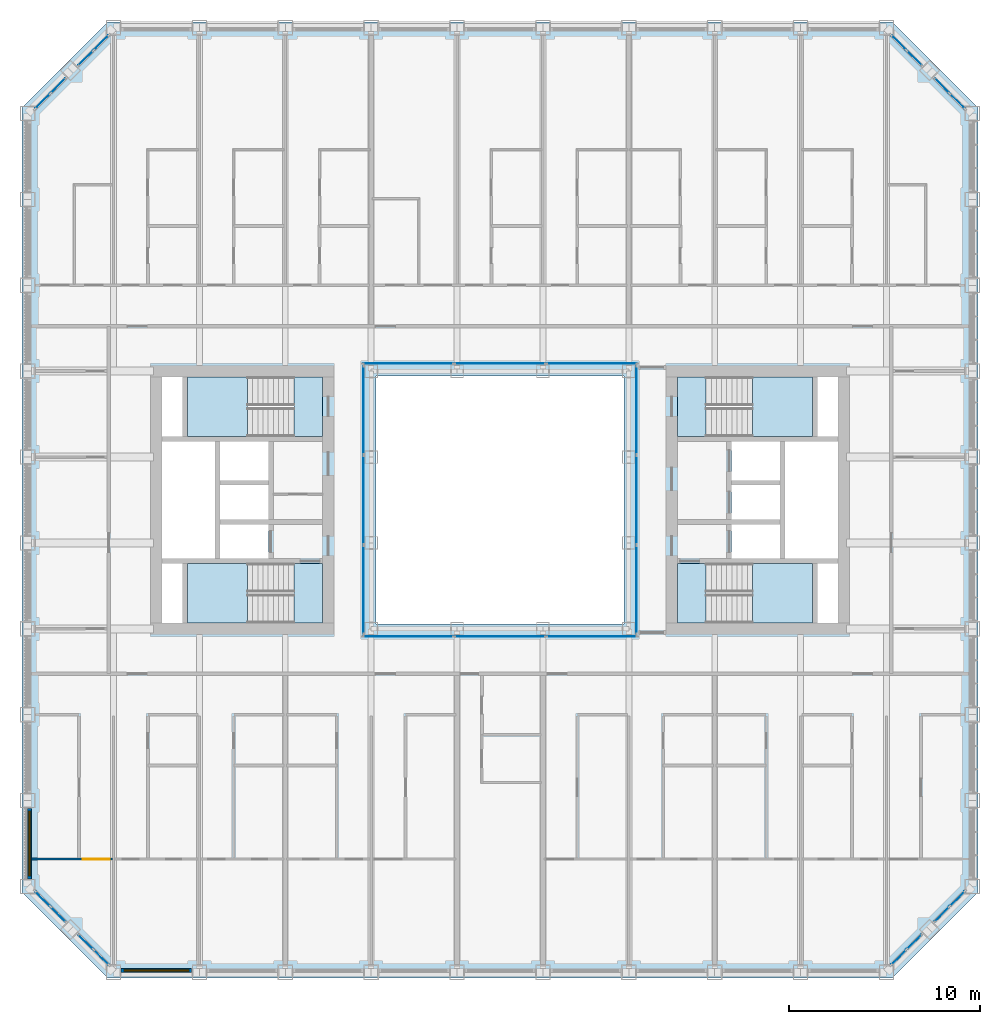
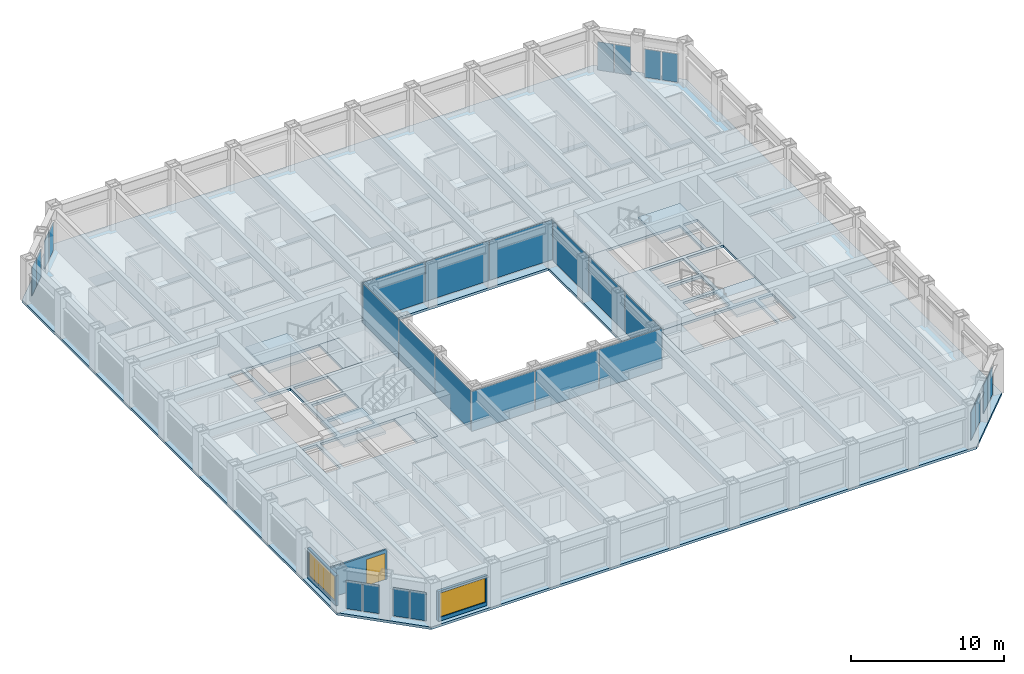
# One storey, part 8 of 21: 28 plates, 9 slabs, 3 walls, 2 windows, 1 door, 3 openings, 16 elements without a shape of their own.
"""IFC4 building model written with IfcOpenShell, lengths in metres."""

import ifcopenshell
import ifcopenshell.guid

model = None  # the IFC model being written
_history = None  # IfcOwnerHistory: only IFC2X3 demands one
_inside = {}  # id of a spatial element -> (the spatial element, [elements in it])
_under = {}  # id of a project, library or spatial element -> (it, [spatial elements below it])
_declared = {}  # id of a project -> (the project, [libraries it declares])
_typed = {}  # id of a type object -> (the type object, [elements of that type])
_made_of = {}  # id of a material, layer set ... -> (it, [elements and type objects made of it])


def new_model(schema):
    """Start an empty IFC model of exactly this schema.

    Asked for "IFC4X3", IfcOpenShell would pick the latest addendum, in which some entities
    have other attributes; the version numbers below select the first issue.
    IFC2X3 requires an IfcOwnerHistory on every rooted entity: one is made here for all.
    """
    global model, _history
    if schema == "IFC4X3":
        model = ifcopenshell.file(schema_version=(4, 3, 0, 0))
    else:
        model = ifcopenshell.file(schema=schema)
    _inside.clear()
    _under.clear()
    _declared.clear()
    _typed.clear()
    _made_of.clear()
    _history = None
    if model.schema == "IFC2X3":
        org = make("IfcOrganization", Name="unknown")
        user = make(
            "IfcPersonAndOrganization",
            ThePerson=make("IfcPerson", FamilyName="unknown"),
            TheOrganization=org,
        )
        app = make(
            "IfcApplication",
            ApplicationDeveloper=org,
            Version="unknown",
            ApplicationFullName="unknown",
            ApplicationIdentifier="unknown",
        )
        _history = make(
            "IfcOwnerHistory",
            OwningUser=user,
            OwningApplication=app,
            ChangeAction="ADDED",
            CreationDate=0,
        )
    return model


def make(cls, **values):
    """One entity of the class cls with the attributes given. An attribute that is None is left unset."""
    return model.create_entity(
        cls, **{name: value for name, value in values.items() if value is not None}
    )


def rooted(cls, **values):
    """An entity with a GlobalId (a new one), such as an element, a storey or a relation."""
    return make(cls, GlobalId=ifcopenshell.guid.new(), OwnerHistory=_history, **values)


def si_unit(unit_type, name, prefix=None):
    """IfcSIUnit, for example si_unit("LENGTHUNIT", "METRE", prefix="MILLI")."""
    return make("IfcSIUnit", UnitType=unit_type, Prefix=prefix, Name=name)


def assignment(units):
    """IfcUnitAssignment: the units of a project."""
    return None if units is None else make("IfcUnitAssignment", Units=units)


def point(xyz):
    """IfcCartesianPoint."""
    return None if xyz is None else make("IfcCartesianPoint", Coordinates=xyz)


def direction(xyz):
    """IfcDirection."""
    return None if xyz is None else make("IfcDirection", DirectionRatios=xyz)


def frame(location, z_axis=None, x_axis=None):
    """IfcAxis2Placement3D, a coordinate frame: its origin and axes. An axis left out is left unset."""
    return make(
        "IfcAxis2Placement3D",
        Location=point(location),
        Axis=direction(z_axis),
        RefDirection=direction(x_axis),
    )


def frame_2d(location, x_axis=None):
    """IfcAxis2Placement2D, a coordinate frame in the plane: its origin and x axis."""
    return make(
        "IfcAxis2Placement2D", Location=point(location), RefDirection=direction(x_axis)
    )


def origin():
    """The frame at (0, 0, 0) with its axes left unset."""
    return frame((0.0, 0.0, 0.0))


def origin_2d():
    """The frame at (0, 0) in the plane with its x axis left unset."""
    return frame_2d((0.0, 0.0))


def place(relative_to, where):
    """IfcLocalPlacement: puts the frame where relative to a parent placement (None: the world)."""
    return make(
        "IfcLocalPlacement", PlacementRelTo=relative_to, RelativePlacement=where
    )


def context(
    kind, dimensions, precision=None, world=None, true_north=None, identifier=None
):
    """IfcGeometricRepresentationContext, for example the 3D "Model" context."""
    return make(
        "IfcGeometricRepresentationContext",
        ContextIdentifier=identifier,
        ContextType=kind,
        CoordinateSpaceDimension=dimensions,
        Precision=precision,
        WorldCoordinateSystem=world,
        TrueNorth=true_north,
    )


def subcontext(parent, identifier, kind, view, scale=None):
    """IfcGeometricRepresentationSubContext, for example "Body" below "Model"."""
    return make(
        "IfcGeometricRepresentationSubContext",
        ContextIdentifier=identifier,
        ContextType=kind,
        ParentContext=parent,
        TargetScale=scale,
        TargetView=view,
    )


def project(units=None, contexts=None):
    """IfcProject with its units and contexts."""
    return rooted(
        "IfcProject",
        Name="project",
        RepresentationContexts=contexts,
        UnitsInContext=assignment(units),
    )


def spatial(cls, under=None, at=None, **own):
    """A site, building, storey or space (cls), placed at a placement, below another one or the project."""
    s = rooted(cls, ObjectPlacement=at, **own)
    if under is not None:
        _under.setdefault(under.id(), (under, []))[1].append(s)
    return s


def polyline(points):
    """IfcPolyline through the points."""
    return make("IfcPolyline", Points=[point(p) for p in points])


def profile(cls, at=None, kind="AREA", **sizes):
    """A parametric profile (cls). Its sizes go by their IFC names, for example OverallWidth=200.0."""
    return make(cls, ProfileType=kind, Position=at, **sizes)


def rectangle(**sizes):
    """IfcRectangleProfileDef."""
    return profile("IfcRectangleProfileDef", **sizes)


def outline(outer, holes=None, kind="AREA"):
    """IfcArbitraryClosedProfileDef: a profile drawn as a closed curve; with holes, ...WithVoids."""
    if holes is None:
        return make("IfcArbitraryClosedProfileDef", ProfileType=kind, OuterCurve=outer)
    return make(
        "IfcArbitraryProfileDefWithVoids",
        ProfileType=kind,
        OuterCurve=outer,
        InnerCurves=holes,
    )


def extrude(swept, where, along, depth):
    """IfcExtrudedAreaSolid: the profile swept, set in the frame where, extruded along a direction by depth."""
    return make(
        "IfcExtrudedAreaSolid",
        SweptArea=swept,
        Position=where,
        ExtrudedDirection=direction(along),
        Depth=depth,
    )


def shape(context_of_items, identifier, shape_type, items):
    """IfcShapeRepresentation: the items that make up one representation, for example the "Body"."""
    return make(
        "IfcShapeRepresentation",
        ContextOfItems=context_of_items,
        RepresentationIdentifier=identifier,
        RepresentationType=shape_type,
        Items=items,
    )


def material(Name=None, Category=None):
    """IfcMaterial."""
    return make("IfcMaterial", Name=Name, Category=Category)


def layer(
    of_material, thickness, ventilated=None, Name=None, Category=None, Priority=None
):
    """IfcMaterialLayer: one layer of a wall or slab, of a material (None: an air gap)."""
    return make(
        "IfcMaterialLayer",
        Material=of_material,
        LayerThickness=thickness,
        IsVentilated=ventilated,
        Name=Name,
        Category=Category,
        Priority=Priority,
    )


def layer_set(layers, Name=None):
    """IfcMaterialLayerSet."""
    return make("IfcMaterialLayerSet", MaterialLayers=layers, LayerSetName=Name)


def made_of(thing, what):
    """Note that an element or type object is made of a material, layer set ...; save() writes the relation."""
    if what is not None:
        _made_of.setdefault(what.id(), (what, []))[1].append(thing)
    return thing


def type_object(cls, material=None, **own):
    """A type object (cls), such as IfcWallType, which elements share."""
    return made_of(rooted(cls, **own), material)


def element(
    cls,
    number,
    at=None,
    inside=None,
    cuts=None,
    type_object=None,
    material=None,
    context=None,
    identifier="Body",
    shape_type=None,
    held_by="IfcProductDefinitionShape",
    body=None,
    shapes=None,
    **own,
):
    """One element of the class cls, such as IfcWall. Its Tag is "e" and its number.

    at: its placement. inside: the storey or other place that contains it. cuts: it is an
    opening in that element (IfcRelVoidsElement). A single representation is given by context,
    identifier, shape_type and body (its items); several are given by shapes. held_by: the class
    of the entity that holds the representations. save() writes the other relations.
    """
    e = rooted(cls, Tag="e%d" % number, ObjectPlacement=at, **own)
    if body is not None:
        shapes = [shape(context, identifier, shape_type, body)]
    if shapes is not None:
        e.Representation = make(held_by, Representations=shapes)
    if inside is not None:
        _inside.setdefault(inside.id(), (inside, []))[1].append(e)
    if cuts is not None:
        rooted(
            "IfcRelVoidsElement", RelatingBuildingElement=cuts, RelatedOpeningElement=e
        )
    if type_object is not None:
        _typed.setdefault(type_object.id(), (type_object, []))[1].append(e)
    return made_of(e, material)


def fill(opening, filler):
    """IfcRelFillsElement: the door or window that sits in an opening."""
    return rooted(
        "IfcRelFillsElement",
        RelatingOpeningElement=opening,
        RelatedBuildingElement=filler,
    )


def aggregate(whole, parts):
    """IfcRelAggregates: a whole, such as a stair, and the parts it consists of."""
    return rooted("IfcRelAggregates", RelatingObject=whole, RelatedObjects=parts)


def save(model, path):
    """Write the relations noted so far, then the file.

    IfcRelAggregates (storeys below a building ...), IfcRelContainedInSpatialStructure (elements
    in a storey), IfcRelDefinesByType, IfcRelAssociatesMaterial and IfcRelDeclares: one each for
    every whole, place, type object, material and project.
    """
    for whole, parts in _under.values():
        aggregate(whole, parts)
    for where, things in _inside.values():
        rooted(
            "IfcRelContainedInSpatialStructure",
            RelatedElements=things,
            RelatingStructure=where,
        )
    for kind, things in _typed.values():
        rooted("IfcRelDefinesByType", RelatedObjects=things, RelatingType=kind)
    for what, things in _made_of.values():
        rooted("IfcRelAssociatesMaterial", RelatedObjects=things, RelatingMaterial=what)
    for by, libraries in _declared.values():
        rooted("IfcRelDeclares", RelatingContext=by, RelatedDefinitions=libraries)
    model.write(path)


model = new_model("IFC4")

# Units and contexts
model_context = context("Model", 3, precision=1e-05, world=origin(), true_north=direction((0.0, 1.0)))
body_context = subcontext(model_context, "Body", "Model", "MODEL_VIEW")
ifc_project = project(units=[si_unit("LENGTHUNIT", "METRE"), si_unit("AREAUNIT", "SQUARE_METRE"), si_unit("VOLUMEUNIT", "CUBIC_METRE"), si_unit("PLANEANGLEUNIT", "RADIAN"), si_unit("MASSUNIT", "GRAM", prefix="KILO")], contexts=[model_context])

# Site, building, storey
site_placement = place(None, origin())
site = spatial("IfcSite", under=ifc_project, at=site_placement, CompositionType="ELEMENT")
building_placement = place(site_placement, origin())
building = spatial("IfcBuilding", under=site, at=building_placement, Name="Msasa Ring Tower", CompositionType="ELEMENT")
storey_placement = place(building_placement, frame((0.0, 0.0, 75.5)))
storey = spatial("IfcBuildingStorey", under=building, at=storey_placement, Name="L19", CompositionType="ELEMENT", Elevation=75.5)

# Curtain wall, plates
ifc_material_1 = material(Name="Aluminium curtain wall with clear glass", Category="aluminium")
curtain_wall_type_1 = type_object("IfcCurtainWallType", Name="CW-C CHAMFER CORNER CURTAIN WALL", PredefinedType="NOTDEFINED", material=ifc_material_1)
curtain_wall_1_placement = place(storey_placement, origin())
curtain_wall_1 = element("IfcCurtainWall", 1, at=curtain_wall_1_placement, inside=storey, type_object=curtain_wall_type_1, Name="Chamfer corner curtain wall SE L19", PredefinedType="NOTDEFINED")
ifc_material_2 = material(Name="Clear laminated insulating glass unit", Category="glass")
ifc_layer_1 = layer(ifc_material_2, 0.031982421875)
ifc_layer_set_1 = layer_set([ifc_layer_1], Name="CW-C GLASS PANEL 32")
plate_type_1 = type_object("IfcPlateType", Name="CW-C GLASS PANEL 32", PredefinedType="CURTAIN_PANEL", material=ifc_layer_set_1)
plate_1_placement = place(storey_placement, frame((20.896484375, -23.962158203125, 0.06494140625), z_axis=(0.0, 0.0, 1.0), x_axis=(0.707106781187, 0.707106781187, 0.0)))
plate_1 = element("IfcPlate", 2, at=plate_1_placement, type_object=plate_type_1, Name="CW-C panel 1.1", PredefinedType="CURTAIN_PANEL", context=body_context, shape_type="SweptSolid", body=[
    extrude(rectangle(XDim=1.08837890625, YDim=0.031982421875, at=origin_2d()), origin(), (0.0, 0.0, 1.0), 2.2490234375),
])
plate_2_placement = place(storey_placement, frame((21.712158203125, -23.146484375, 0.06494140625), z_axis=(0.0, 0.0, 1.0), x_axis=(0.707106781187, 0.707106781187, 0.0)))
plate_2 = element("IfcPlate", 3, at=plate_2_placement, type_object=plate_type_1, Name="CW-C panel 2.1", PredefinedType="CURTAIN_PANEL", context=body_context, shape_type="SweptSolid", body=[
    extrude(rectangle(XDim=1.08837890625, YDim=0.031982421875, at=origin_2d()), origin(), (0.0, 0.0, 1.0), 2.2490234375),
])
aggregate(curtain_wall_1, [plate_1, plate_2])

curtain_wall_2_placement = place(storey_placement, origin())
curtain_wall_2 = element("IfcCurtainWall", 4, at=curtain_wall_2_placement, inside=storey, type_object=curtain_wall_type_1, Name="Chamfer corner curtain wall SE L19", PredefinedType="NOTDEFINED")
plate_3_placement = place(storey_placement, frame((23.146484375, -21.712158203125, 0.06494140625), z_axis=(0.0, 0.0, 1.0), x_axis=(0.707106781187, 0.707106781187, 0.0)))
plate_3 = element("IfcPlate", 5, at=plate_3_placement, type_object=plate_type_1, Name="CW-C panel 1.1", PredefinedType="CURTAIN_PANEL", context=body_context, shape_type="SweptSolid", body=[
    extrude(rectangle(XDim=1.08837890625, YDim=0.031982421875, at=origin_2d()), origin(), (0.0, 0.0, 1.0), 2.2490234375),
])
plate_4_placement = place(storey_placement, frame((23.962158203125, -20.896484375, 0.06494140625), z_axis=(0.0, 0.0, 1.0), x_axis=(0.707106781187, 0.707106781187, 0.0)))
plate_4 = element("IfcPlate", 6, at=plate_4_placement, type_object=plate_type_1, Name="CW-C panel 2.1", PredefinedType="CURTAIN_PANEL", context=body_context, shape_type="SweptSolid", body=[
    extrude(rectangle(XDim=1.08837890625, YDim=0.031982421875, at=origin_2d()), origin(), (0.0, 0.0, 1.0), 2.2490234375),
])
aggregate(curtain_wall_2, [plate_3, plate_4])

curtain_wall_3_placement = place(storey_placement, origin())
curtain_wall_3 = element("IfcCurtainWall", 7, at=curtain_wall_3_placement, inside=storey, type_object=curtain_wall_type_1, Name="Chamfer corner curtain wall NE L19", PredefinedType="NOTDEFINED")
plate_5_placement = place(storey_placement, frame((21.712158203125, 23.146484375, 0.06494140625), z_axis=(0.0, 0.0, 1.0), x_axis=(-0.707106781187, 0.707106781187, 0.0)))
plate_5 = element("IfcPlate", 8, at=plate_5_placement, type_object=plate_type_1, Name="CW-C panel 1.1", PredefinedType="CURTAIN_PANEL", context=body_context, shape_type="SweptSolid", body=[
    extrude(rectangle(XDim=1.08837890625, YDim=0.031982421875, at=origin_2d()), origin(), (0.0, 0.0, 1.0), 2.2490234375),
])
plate_6_placement = place(storey_placement, frame((20.896484375, 23.962158203125, 0.06494140625), z_axis=(0.0, 0.0, 1.0), x_axis=(-0.707106781187, 0.707106781187, 0.0)))
plate_6 = element("IfcPlate", 9, at=plate_6_placement, type_object=plate_type_1, Name="CW-C panel 2.1", PredefinedType="CURTAIN_PANEL", context=body_context, shape_type="SweptSolid", body=[
    extrude(rectangle(XDim=1.08837890625, YDim=0.031982421875, at=origin_2d()), origin(), (0.0, 0.0, 1.0), 2.2490234375),
])
aggregate(curtain_wall_3, [plate_5, plate_6])

curtain_wall_4_placement = place(storey_placement, origin())
curtain_wall_4 = element("IfcCurtainWall", 10, at=curtain_wall_4_placement, inside=storey, type_object=curtain_wall_type_1, Name="Chamfer corner curtain wall NE L19", PredefinedType="NOTDEFINED")
plate_7_placement = place(storey_placement, frame((23.962158203125, 20.896484375, 0.06494140625), z_axis=(0.0, 0.0, 1.0), x_axis=(-0.707106781187, 0.707106781187, 0.0)))
plate_7 = element("IfcPlate", 11, at=plate_7_placement, type_object=plate_type_1, Name="CW-C panel 1.1", PredefinedType="CURTAIN_PANEL", context=body_context, shape_type="SweptSolid", body=[
    extrude(rectangle(XDim=1.08837890625, YDim=0.031982421875, at=origin_2d()), origin(), (0.0, 0.0, 1.0), 2.2490234375),
])
plate_8_placement = place(storey_placement, frame((23.146484375, 21.712158203125, 0.06494140625), z_axis=(0.0, 0.0, 1.0), x_axis=(-0.707106781187, 0.707106781187, 0.0)))
plate_8 = element("IfcPlate", 12, at=plate_8_placement, type_object=plate_type_1, Name="CW-C panel 2.1", PredefinedType="CURTAIN_PANEL", context=body_context, shape_type="SweptSolid", body=[
    extrude(rectangle(XDim=1.08837890625, YDim=0.031982421875, at=origin_2d()), origin(), (0.0, 0.0, 1.0), 2.2490234375),
])
aggregate(curtain_wall_4, [plate_7, plate_8])

curtain_wall_5_placement = place(storey_placement, origin())
curtain_wall_5 = element("IfcCurtainWall", 13, at=curtain_wall_5_placement, inside=storey, type_object=curtain_wall_type_1, Name="Chamfer corner curtain wall NW L19", PredefinedType="NOTDEFINED")
plate_9_placement = place(storey_placement, frame((-23.146484375, 21.712158203125, 0.06494140625), z_axis=(0.0, 0.0, 1.0), x_axis=(-0.707106781187, -0.707106781187, 0.0)))
plate_9 = element("IfcPlate", 14, at=plate_9_placement, type_object=plate_type_1, Name="CW-C panel 1.1", PredefinedType="CURTAIN_PANEL", context=body_context, shape_type="SweptSolid", body=[
    extrude(rectangle(XDim=1.08837890625, YDim=0.031982421875, at=origin_2d()), origin(), (0.0, 0.0, 1.0), 2.2490234375),
])
plate_10_placement = place(storey_placement, frame((-23.962158203125, 20.896484375, 0.06494140625), z_axis=(0.0, 0.0, 1.0), x_axis=(-0.707106781187, -0.707106781187, 0.0)))
plate_10 = element("IfcPlate", 15, at=plate_10_placement, type_object=plate_type_1, Name="CW-C panel 2.1", PredefinedType="CURTAIN_PANEL", context=body_context, shape_type="SweptSolid", body=[
    extrude(rectangle(XDim=1.08837890625, YDim=0.031982421875, at=origin_2d()), origin(), (0.0, 0.0, 1.0), 2.2490234375),
])
aggregate(curtain_wall_5, [plate_9, plate_10])

curtain_wall_6_placement = place(storey_placement, origin())
curtain_wall_6 = element("IfcCurtainWall", 16, at=curtain_wall_6_placement, inside=storey, type_object=curtain_wall_type_1, Name="Chamfer corner curtain wall NW L19", PredefinedType="NOTDEFINED")
plate_11_placement = place(storey_placement, frame((-20.896484375, 23.962158203125, 0.06494140625), z_axis=(0.0, 0.0, 1.0), x_axis=(-0.707106781187, -0.707106781187, 0.0)))
plate_11 = element("IfcPlate", 17, at=plate_11_placement, type_object=plate_type_1, Name="CW-C panel 1.1", PredefinedType="CURTAIN_PANEL", context=body_context, shape_type="SweptSolid", body=[
    extrude(rectangle(XDim=1.08837890625, YDim=0.031982421875, at=origin_2d()), origin(), (0.0, 0.0, 1.0), 2.2490234375),
])
plate_12_placement = place(storey_placement, frame((-21.712158203125, 23.146484375, 0.06494140625), z_axis=(0.0, 0.0, 1.0), x_axis=(-0.707106781187, -0.707106781187, 0.0)))
plate_12 = element("IfcPlate", 18, at=plate_12_placement, type_object=plate_type_1, Name="CW-C panel 2.1", PredefinedType="CURTAIN_PANEL", context=body_context, shape_type="SweptSolid", body=[
    extrude(rectangle(XDim=1.08837890625, YDim=0.031982421875, at=origin_2d()), origin(), (0.0, 0.0, 1.0), 2.2490234375),
])
aggregate(curtain_wall_6, [plate_11, plate_12])

curtain_wall_7_placement = place(storey_placement, origin())
curtain_wall_7 = element("IfcCurtainWall", 19, at=curtain_wall_7_placement, inside=storey, type_object=curtain_wall_type_1, Name="Chamfer corner curtain wall SW L19", PredefinedType="NOTDEFINED")
plate_13_placement = place(storey_placement, frame((-23.962158203125, -20.896484375, 0.06494140625), z_axis=(0.0, 0.0, 1.0), x_axis=(0.707106781187, -0.707106781187, 0.0)))
plate_13 = element("IfcPlate", 20, at=plate_13_placement, type_object=plate_type_1, Name="CW-C panel 1.1", PredefinedType="CURTAIN_PANEL", context=body_context, shape_type="SweptSolid", body=[
    extrude(rectangle(XDim=1.08837890625, YDim=0.031982421875, at=origin_2d()), origin(), (0.0, 0.0, 1.0), 2.2490234375),
])
plate_14_placement = place(storey_placement, frame((-23.146484375, -21.712158203125, 0.06494140625), z_axis=(0.0, 0.0, 1.0), x_axis=(0.707106781187, -0.707106781187, 0.0)))
plate_14 = element("IfcPlate", 21, at=plate_14_placement, type_object=plate_type_1, Name="CW-C panel 2.1", PredefinedType="CURTAIN_PANEL", context=body_context, shape_type="SweptSolid", body=[
    extrude(rectangle(XDim=1.08837890625, YDim=0.031982421875, at=origin_2d()), origin(), (0.0, 0.0, 1.0), 2.2490234375),
])
aggregate(curtain_wall_7, [plate_13, plate_14])

curtain_wall_8_placement = place(storey_placement, origin())
curtain_wall_8 = element("IfcCurtainWall", 22, at=curtain_wall_8_placement, inside=storey, type_object=curtain_wall_type_1, Name="Chamfer corner curtain wall SW L19", PredefinedType="NOTDEFINED")
plate_15_placement = place(storey_placement, frame((-21.712158203125, -23.146484375, 0.06494140625), z_axis=(0.0, 0.0, 1.0), x_axis=(0.707106781187, -0.707106781187, 0.0)))
plate_15 = element("IfcPlate", 23, at=plate_15_placement, type_object=plate_type_1, Name="CW-C panel 1.1", PredefinedType="CURTAIN_PANEL", context=body_context, shape_type="SweptSolid", body=[
    extrude(rectangle(XDim=1.08837890625, YDim=0.031982421875, at=origin_2d()), origin(), (0.0, 0.0, 1.0), 2.2490234375),
])
plate_16_placement = place(storey_placement, frame((-20.896484375, -23.962158203125, 0.06494140625), z_axis=(0.0, 0.0, 1.0), x_axis=(0.707106781187, -0.707106781187, 0.0)))
plate_16 = element("IfcPlate", 24, at=plate_16_placement, type_object=plate_type_1, Name="CW-C panel 2.1", PredefinedType="CURTAIN_PANEL", context=body_context, shape_type="SweptSolid", body=[
    extrude(rectangle(XDim=1.08837890625, YDim=0.031982421875, at=origin_2d()), origin(), (0.0, 0.0, 1.0), 2.2490234375),
])
aggregate(curtain_wall_8, [plate_15, plate_16])

ifc_material_3 = material(Name="Aluminium curtain wall with clear glass", Category="aluminium")
curtain_wall_type_2 = type_object("IfcCurtainWallType", Name="CW-W LIGHT WELL CURTAIN WALL", PredefinedType="NOTDEFINED", material=ifc_material_3)
curtain_wall_9_placement = place(storey_placement, origin())
curtain_wall_9 = element("IfcCurtainWall", 25, at=curtain_wall_9_placement, inside=storey, type_object=curtain_wall_type_2, Name="Light well curtain wall N L19", PredefinedType="NOTDEFINED")
ifc_material_4 = material(Name="Clear laminated insulating glass unit", Category="glass")
ifc_layer_2 = layer(ifc_material_4, 0.028076171875)
ifc_layer_set_2 = layer_set([ifc_layer_2], Name="CW-W GLASS PANEL 28")
plate_type_2 = type_object("IfcPlateType", Name="CW-W GLASS PANEL 28", PredefinedType="CURTAIN_PANEL", material=ifc_layer_set_2)
plate_17_placement = place(storey_placement, frame((-4.804931640625, 7.14990234375, 0.06005859375), z_axis=(0.0, 0.0, 1.0), x_axis=(1.0, 0.0, 0.0)))
plate_17 = element("IfcPlate", 26, at=plate_17_placement, type_object=plate_type_2, Name="CW-W panel 1.1", PredefinedType="CURTAIN_PANEL", context=body_context, shape_type="SweptSolid", body=[
    extrude(rectangle(XDim=4.72998046875, YDim=0.028076171875, at=origin_2d()), origin(), (0.0, 0.0, 1.0), 3.179931640625),
])
plate_18_placement = place(storey_placement, frame((0.0, 7.14990234375, 0.06005859375), z_axis=(0.0, 0.0, 1.0), x_axis=(1.0, 0.0, 0.0)))
plate_18 = element("IfcPlate", 27, at=plate_18_placement, type_object=plate_type_2, Name="CW-W panel 2.1", PredefinedType="CURTAIN_PANEL", context=body_context, shape_type="SweptSolid", body=[
    extrude(rectangle(XDim=4.760009765625, YDim=0.028076171875, at=origin_2d()), origin(), (0.0, 0.0, 1.0), 3.179931640625),
])
plate_19_placement = place(storey_placement, frame((4.804931640625, 7.14990234375, 0.06005859375), z_axis=(0.0, 0.0, 1.0), x_axis=(1.0, 0.0, 0.0)))
plate_19 = element("IfcPlate", 28, at=plate_19_placement, type_object=plate_type_2, Name="CW-W panel 3.1", PredefinedType="CURTAIN_PANEL", context=body_context, shape_type="SweptSolid", body=[
    extrude(rectangle(XDim=4.72998046875, YDim=0.028076171875, at=origin_2d()), origin(), (0.0, 0.0, 1.0), 3.179931640625),
])
aggregate(curtain_wall_9, [plate_17, plate_18, plate_19])

curtain_wall_10_placement = place(storey_placement, origin())
curtain_wall_10 = element("IfcCurtainWall", 29, at=curtain_wall_10_placement, inside=storey, type_object=curtain_wall_type_2, Name="Light well curtain wall S L19", PredefinedType="NOTDEFINED")
plate_20_placement = place(storey_placement, frame((-4.804931640625, -7.14990234375, 0.06005859375), z_axis=(0.0, 0.0, 1.0), x_axis=(1.0, 0.0, 0.0)))
plate_20 = element("IfcPlate", 30, at=plate_20_placement, type_object=plate_type_2, Name="CW-W panel 1.1", PredefinedType="CURTAIN_PANEL", context=body_context, shape_type="SweptSolid", body=[
    extrude(rectangle(XDim=4.72998046875, YDim=0.028076171875, at=origin_2d()), origin(), (0.0, 0.0, 1.0), 3.179931640625),
])
plate_21_placement = place(storey_placement, frame((0.0, -7.14990234375, 0.06005859375), z_axis=(0.0, 0.0, 1.0), x_axis=(1.0, 0.0, 0.0)))
plate_21 = element("IfcPlate", 31, at=plate_21_placement, type_object=plate_type_2, Name="CW-W panel 2.1", PredefinedType="CURTAIN_PANEL", context=body_context, shape_type="SweptSolid", body=[
    extrude(rectangle(XDim=4.760009765625, YDim=0.028076171875, at=origin_2d()), origin(), (0.0, 0.0, 1.0), 3.179931640625),
])
plate_22_placement = place(storey_placement, frame((4.804931640625, -7.14990234375, 0.06005859375), z_axis=(0.0, 0.0, 1.0), x_axis=(1.0, 0.0, 0.0)))
plate_22 = element("IfcPlate", 32, at=plate_22_placement, type_object=plate_type_2, Name="CW-W panel 3.1", PredefinedType="CURTAIN_PANEL", context=body_context, shape_type="SweptSolid", body=[
    extrude(rectangle(XDim=4.72998046875, YDim=0.028076171875, at=origin_2d()), origin(), (0.0, 0.0, 1.0), 3.179931640625),
])
aggregate(curtain_wall_10, [plate_20, plate_21, plate_22])

curtain_wall_11_placement = place(storey_placement, origin())
curtain_wall_11 = element("IfcCurtainWall", 33, at=curtain_wall_11_placement, inside=storey, type_object=curtain_wall_type_2, Name="Light well curtain wall E L19", PredefinedType="NOTDEFINED")
plate_23_placement = place(storey_placement, frame((7.14990234375, -4.6982421875, 0.06005859375), z_axis=(0.0, 0.0, 1.0), x_axis=(0.0, 1.0, 0.0)))
plate_23 = element("IfcPlate", 34, at=plate_23_placement, type_object=plate_type_2, Name="CW-W panel 1.1", PredefinedType="CURTAIN_PANEL", context=body_context, shape_type="SweptSolid", body=[
    extrude(rectangle(XDim=4.623291015625, YDim=0.028076171875, at=origin_2d()), origin(), (0.0, 0.0, 1.0), 3.179931640625),
])
plate_24_placement = place(storey_placement, frame((7.14990234375, 0.0, 0.06005859375), z_axis=(0.0, 0.0, 1.0), x_axis=(0.0, 1.0, 0.0)))
plate_24 = element("IfcPlate", 35, at=plate_24_placement, type_object=plate_type_2, Name="CW-W panel 2.1", PredefinedType="CURTAIN_PANEL", context=body_context, shape_type="SweptSolid", body=[
    extrude(rectangle(XDim=4.6533203125, YDim=0.028076171875, at=origin_2d()), origin(), (0.0, 0.0, 1.0), 3.179931640625),
])
plate_25_placement = place(storey_placement, frame((7.14990234375, 4.6982421875, 0.06005859375), z_axis=(0.0, 0.0, 1.0), x_axis=(0.0, 1.0, 0.0)))
plate_25 = element("IfcPlate", 36, at=plate_25_placement, type_object=plate_type_2, Name="CW-W panel 3.1", PredefinedType="CURTAIN_PANEL", context=body_context, shape_type="SweptSolid", body=[
    extrude(rectangle(XDim=4.623291015625, YDim=0.028076171875, at=origin_2d()), origin(), (0.0, 0.0, 1.0), 3.179931640625),
])
aggregate(curtain_wall_11, [plate_23, plate_24, plate_25])

curtain_wall_12_placement = place(storey_placement, origin())
curtain_wall_12 = element("IfcCurtainWall", 37, at=curtain_wall_12_placement, inside=storey, type_object=curtain_wall_type_2, Name="Light well curtain wall W L19", PredefinedType="NOTDEFINED")
plate_26_placement = place(storey_placement, frame((-7.14990234375, -4.6982421875, 0.06005859375), z_axis=(0.0, 0.0, 1.0), x_axis=(0.0, 1.0, 0.0)))
plate_26 = element("IfcPlate", 38, at=plate_26_placement, type_object=plate_type_2, Name="CW-W panel 1.1", PredefinedType="CURTAIN_PANEL", context=body_context, shape_type="SweptSolid", body=[
    extrude(rectangle(XDim=4.623291015625, YDim=0.028076171875, at=origin_2d()), origin(), (0.0, 0.0, 1.0), 3.179931640625),
])
plate_27_placement = place(storey_placement, frame((-7.14990234375, 0.0, 0.06005859375), z_axis=(0.0, 0.0, 1.0), x_axis=(0.0, 1.0, 0.0)))
plate_27 = element("IfcPlate", 39, at=plate_27_placement, type_object=plate_type_2, Name="CW-W panel 2.1", PredefinedType="CURTAIN_PANEL", context=body_context, shape_type="SweptSolid", body=[
    extrude(rectangle(XDim=4.6533203125, YDim=0.028076171875, at=origin_2d()), origin(), (0.0, 0.0, 1.0), 3.179931640625),
])
plate_28_placement = place(storey_placement, frame((-7.14990234375, 4.6982421875, 0.06005859375), z_axis=(0.0, 0.0, 1.0), x_axis=(0.0, 1.0, 0.0)))
plate_28 = element("IfcPlate", 40, at=plate_28_placement, type_object=plate_type_2, Name="CW-W panel 3.1", PredefinedType="CURTAIN_PANEL", context=body_context, shape_type="SweptSolid", body=[
    extrude(rectangle(XDim=4.623291015625, YDim=0.028076171875, at=origin_2d()), origin(), (0.0, 0.0, 1.0), 3.179931640625),
])
aggregate(curtain_wall_12, [plate_26, plate_27, plate_28])

# Stair, slabs
ifc_material_5 = material(Name="Concrete C40/50", Category="concrete")
stair_type = type_object("IfcStairType", Name="STC CORE STAIR 20 RISERS 175", PredefinedType="HALF_TURN_STAIR", material=ifc_material_5)
stair_1_placement = place(storey_placement, origin())
stair_1 = element("IfcStair", 41, at=stair_1_placement, inside=storey, type_object=stair_type, Name="Core stair SEA L19", PredefinedType="HALF_TURN_STAIR")
ifc_material_6 = material(Name="Concrete C40/50", Category="concrete")
ifc_layer_3 = layer(ifc_material_6, 0.199951171875)
ifc_layer_set_3 = layer_set([ifc_layer_3], Name="LD1 CORE STAIR LANDING 200")
slab_type_1 = type_object("IfcSlabType", Name="LD1 CORE STAIR LANDING 200", PredefinedType="LANDING", material=ifc_layer_set_3)
slab_1_placement = place(storey_placement, frame((0.0, 0.0, -0.199951171875)))
slab_1 = element("IfcSlab", 42, at=slab_1_placement, type_object=slab_type_1, Name="SEA landing 1", PredefinedType="LANDING", context=body_context, shape_type="SweptSolid", body=[
    extrude(outline(polyline([(9.300048828125, -6.449951171875), (10.800048828125, -6.449951171875), (10.800048828125, -3.324951171875), (9.300048828125, -3.324951171875), (9.300048828125, -6.449951171875)])), origin(), (0.0, 0.0, 1.0), 0.199951171875),
])
slab_2_placement = place(storey_placement, frame((0.0, 0.0, 1.550048828125)))
slab_2 = element("IfcSlab", 43, at=slab_2_placement, type_object=slab_type_1, Name="SEA landing 2", PredefinedType="LANDING", context=body_context, shape_type="SweptSolid", body=[
    extrude(outline(polyline([(13.22998046875, -6.449951171875), (16.375, -6.449951171875), (16.375, -3.324951171875), (13.22998046875, -3.324951171875), (13.22998046875, -6.449951171875)])), origin(), (0.0, 0.0, 1.0), 0.199951171875),
])
aggregate(stair_1, [slab_1, slab_2])

stair_2_placement = place(storey_placement, origin())
stair_2 = element("IfcStair", 44, at=stair_2_placement, inside=storey, type_object=stair_type, Name="Core stair SEB L19", PredefinedType="HALF_TURN_STAIR")
slab_3_placement = place(storey_placement, frame((0.0, 0.0, -0.199951171875)))
slab_3 = element("IfcSlab", 45, at=slab_3_placement, type_object=slab_type_1, Name="SEB landing 1", PredefinedType="LANDING", context=body_context, shape_type="SweptSolid", body=[
    extrude(outline(polyline([(9.300048828125, 3.324951171875), (10.800048828125, 3.324951171875), (10.800048828125, 6.449951171875), (9.300048828125, 6.449951171875), (9.300048828125, 3.324951171875)])), origin(), (0.0, 0.0, 1.0), 0.199951171875),
])
slab_4_placement = place(storey_placement, frame((0.0, 0.0, 1.550048828125)))
slab_4 = element("IfcSlab", 46, at=slab_4_placement, type_object=slab_type_1, Name="SEB landing 2", PredefinedType="LANDING", context=body_context, shape_type="SweptSolid", body=[
    extrude(outline(polyline([(13.22998046875, 3.324951171875), (16.375, 3.324951171875), (16.375, 6.449951171875), (13.22998046875, 6.449951171875), (13.22998046875, 3.324951171875)])), origin(), (0.0, 0.0, 1.0), 0.199951171875),
])
aggregate(stair_2, [slab_3, slab_4])

stair_3_placement = place(storey_placement, origin())
stair_3 = element("IfcStair", 47, at=stair_3_placement, inside=storey, type_object=stair_type, Name="Core stair SWA L19", PredefinedType="HALF_TURN_STAIR")
slab_5_placement = place(storey_placement, frame((0.0, 0.0, -0.199951171875)))
slab_5 = element("IfcSlab", 48, at=slab_5_placement, type_object=slab_type_1, Name="SWA landing 1", PredefinedType="LANDING", context=body_context, shape_type="SweptSolid", body=[
    extrude(outline(polyline([(-10.800048828125, -6.449951171875), (-9.300048828125, -6.449951171875), (-9.300048828125, -3.324951171875), (-10.800048828125, -3.324951171875), (-10.800048828125, -6.449951171875)])), origin(), (0.0, 0.0, 1.0), 0.199951171875),
])
slab_6_placement = place(storey_placement, frame((0.0, 0.0, 1.550048828125)))
slab_6 = element("IfcSlab", 49, at=slab_6_placement, type_object=slab_type_1, Name="SWA landing 2", PredefinedType="LANDING", context=body_context, shape_type="SweptSolid", body=[
    extrude(outline(polyline([(-16.375, -6.449951171875), (-13.22998046875, -6.449951171875), (-13.22998046875, -3.324951171875), (-16.375, -3.324951171875), (-16.375, -6.449951171875)])), origin(), (0.0, 0.0, 1.0), 0.199951171875),
])
aggregate(stair_3, [slab_5, slab_6])

stair_4_placement = place(storey_placement, origin())
stair_4 = element("IfcStair", 50, at=stair_4_placement, inside=storey, type_object=stair_type, Name="Core stair SWB L19", PredefinedType="HALF_TURN_STAIR")
slab_7_placement = place(storey_placement, frame((0.0, 0.0, -0.199951171875)))
slab_7 = element("IfcSlab", 51, at=slab_7_placement, type_object=slab_type_1, Name="SWB landing 1", PredefinedType="LANDING", context=body_context, shape_type="SweptSolid", body=[
    extrude(outline(polyline([(-10.800048828125, 3.324951171875), (-9.300048828125, 3.324951171875), (-9.300048828125, 6.449951171875), (-10.800048828125, 6.449951171875), (-10.800048828125, 3.324951171875)])), origin(), (0.0, 0.0, 1.0), 0.199951171875),
])
slab_8_placement = place(storey_placement, frame((0.0, 0.0, 1.550048828125)))
slab_8 = element("IfcSlab", 52, at=slab_8_placement, type_object=slab_type_1, Name="SWB landing 2", PredefinedType="LANDING", context=body_context, shape_type="SweptSolid", body=[
    extrude(outline(polyline([(-16.375, 3.324951171875), (-13.22998046875, 3.324951171875), (-13.22998046875, 6.449951171875), (-16.375, 6.449951171875), (-16.375, 3.324951171875)])), origin(), (0.0, 0.0, 1.0), 0.199951171875),
])
aggregate(stair_4, [slab_7, slab_8])

# Slab
ifc_material_7 = material(Name="Concrete C40/50", Category="concrete")
ifc_layer_4 = layer(ifc_material_7, 0.199951171875)
ifc_layer_set_4 = layer_set([ifc_layer_4], Name="S3 RESIDENCE FLOOR 200")
slab_type_2 = type_object("IfcSlabType", Name="S3 RESIDENCE FLOOR 200", PredefinedType="FLOOR", material=ifc_layer_set_4)
slab_9_placement = place(storey_placement, frame((0.0, 0.0, -0.199951171875)))
element("IfcSlab", 53, at=slab_9_placement, inside=storey, type_object=slab_type_2, Name="Floor slab L19", PredefinedType="FLOOR", context=body_context, shape_type="SweptSolid", body=[
    extrude(outline(polyline([(-20.550048828125, -25.050048828125), (20.550048828125, -25.050048828125), (25.050048828125, -20.550048828125), (25.050048828125, 20.550048828125), (20.550048828125, 25.050048828125), (-20.550048828125, 25.050048828125), (-25.050048828125, 20.550048828125), (-25.050048828125, -20.550048828125), (-20.550048828125, -25.050048828125)]), holes=[polyline([(-6.5, -6.5), (6.5, -6.5), (6.5, 6.5), (-6.5, 6.5), (-6.5, -6.5)]), polyline([(9.300048828125, -6.449951171875), (16.375, -6.449951171875), (16.375, -3.324951171875), (9.300048828125, -3.324951171875), (9.300048828125, -6.449951171875)]), polyline([(9.300048828125, 3.324951171875), (16.375, 3.324951171875), (16.375, 6.449951171875), (9.300048828125, 6.449951171875), (9.300048828125, 3.324951171875)]), polyline([(12.125, -3.074951171875), (14.675048828125, -3.074951171875), (14.675048828125, -1.27490234375), (12.125, -1.27490234375), (12.125, -3.074951171875)]), polyline([(12.125, -1.02490234375), (14.675048828125, -1.02490234375), (14.675048828125, 0.77490234375), (12.125, 0.77490234375), (12.125, -1.02490234375)]), polyline([(12.125, 1.02490234375), (14.675048828125, 1.02490234375), (14.675048828125, 3.074951171875), (12.125, 3.074951171875), (12.125, 1.02490234375)]), polyline([(16.625, -6.449951171875), (17.699951171875, -6.449951171875), (17.699951171875, -3.324951171875), (16.625, -3.324951171875), (16.625, -6.449951171875)]), polyline([(16.625, 3.324951171875), (17.699951171875, 3.324951171875), (17.699951171875, 6.449951171875), (16.625, 6.449951171875), (16.625, 3.324951171875)]), polyline([(14.925048828125, -3.074951171875), (17.699951171875, -3.074951171875), (17.699951171875, 3.074951171875), (14.925048828125, 3.074951171875), (14.925048828125, -3.074951171875)]), polyline([(-16.375, -6.449951171875), (-9.300048828125, -6.449951171875), (-9.300048828125, -3.324951171875), (-16.375, -3.324951171875), (-16.375, -6.449951171875)]), polyline([(-16.375, 3.324951171875), (-9.300048828125, 3.324951171875), (-9.300048828125, 6.449951171875), (-16.375, 6.449951171875), (-16.375, 3.324951171875)]), polyline([(-14.675048828125, -3.074951171875), (-12.125, -3.074951171875), (-12.125, -1.27490234375), (-14.675048828125, -1.27490234375), (-14.675048828125, -3.074951171875)]), polyline([(-14.675048828125, -1.02490234375), (-12.125, -1.02490234375), (-12.125, 0.77490234375), (-14.675048828125, 0.77490234375), (-14.675048828125, -1.02490234375)]), polyline([(-14.675048828125, 1.02490234375), (-12.125, 1.02490234375), (-12.125, 3.074951171875), (-14.675048828125, 3.074951171875), (-14.675048828125, 1.02490234375)]), polyline([(-17.699951171875, -6.449951171875), (-16.625, -6.449951171875), (-16.625, -3.324951171875), (-17.699951171875, -3.324951171875), (-17.699951171875, -6.449951171875)]), polyline([(-17.699951171875, 3.324951171875), (-16.625, 3.324951171875), (-16.625, 6.449951171875), (-17.699951171875, 6.449951171875), (-17.699951171875, 3.324951171875)]), polyline([(-17.699951171875, -3.074951171875), (-14.925048828125, -3.074951171875), (-14.925048828125, 3.074951171875), (-17.699951171875, 3.074951171875), (-17.699951171875, -3.074951171875)])]), origin(), (0.0, 0.0, 1.0), 0.199951171875),
])

# Wall, opening, window
ifc_material_8 = material(Name="Terracotta rainscreen on blockwork", Category="masonry")
ifc_layer_5 = layer(ifc_material_8, 0.199951171875)
ifc_layer_set_5 = layer_set([ifc_layer_5], Name="FW1 TERRACOTTA-LINED INFILL BAY WALL 200")
wall_type_1 = type_object("IfcWallType", Name="FW1 TERRACOTTA-LINED INFILL BAY WALL 200", PredefinedType="SOLIDWALL", material=ifc_layer_set_5)
wall_1_placement = place(storey_placement, frame((-19.844970703125, -24.64990234375, 0.0), z_axis=(0.0, 0.0, 1.0), x_axis=(1.0, 0.0, 0.0)))
wall_1 = element("IfcWall", 54, at=wall_1_placement, inside=storey, type_object=wall_type_1, Name="Infill bay wall S L19 00", PredefinedType="SOLIDWALL", context=body_context, shape_type="SweptSolid", body=[
    extrude(rectangle(XDim=3.68994140625, YDim=0.199951171875, at=frame_2d((1.844970703125, 0.0))), origin(), (0.0, 0.0, 1.0), 2.37890625),
])
opening_1_placement = place(wall_1_placement, frame((0.14501953125, 0.0, 0.300048828125)))
opening_1 = element("IfcOpeningElement", 55, at=opening_1_placement, cuts=wall_1, Name="Opening WN1", PredefinedType="OPENING", context=body_context, shape_type="SweptSolid", body=[
    extrude(rectangle(XDim=3.39990234375, YDim=1.928955078125, at=frame_2d((1.699951171875, 0.96435546875))), frame((0.0, 0.10986328125, 0.0), z_axis=(0.0, -1.0, 0.0), x_axis=(1.0, 0.0, 0.0)), (0.0, 0.0, 1.0), 0.219970703125),
])
ifc_material_9 = material(Name="Aluminium frame with clear glass", Category="aluminium")
window_type = type_object("IfcWindowType", Name="WN1 RESIDENCE WINDOW 3400x1929", PartitioningType="SINGLE_PANEL", PredefinedType="WINDOW", material=ifc_material_9)
window_1_placement = place(opening_1_placement, origin())
window_1 = element("IfcWindow", 56, at=window_1_placement, inside=storey, type_object=window_type, Name="Window S L19 00", OverallHeight=1.928955078125, OverallWidth=3.39990234375, PartitioningType="SINGLE_PANEL", PredefinedType="WINDOW", context=body_context, shape_type="SweptSolid", body=[
    extrude(rectangle(XDim=3.39990234375, YDim=1.928955078125, at=frame_2d((1.699951171875, 0.96435546875))), frame((0.0, 0.030029296875, 0.0), z_axis=(0.0, -1.0, 0.0), x_axis=(1.0, 0.0, 0.0)), (0.0, 0.0, 1.0), 0.06005859375),
])
fill(opening_1, window_1)

wall_2_placement = place(storey_placement, frame((-24.64990234375, -19.844970703125, 0.0), z_axis=(0.0, 0.0, 1.0), x_axis=(0.0, 1.0, 0.0)))
wall_2 = element("IfcWall", 57, at=wall_2_placement, inside=storey, type_object=wall_type_1, Name="Infill bay wall W L19 33", PredefinedType="SOLIDWALL", context=body_context, shape_type="SweptSolid", body=[
    extrude(rectangle(XDim=3.68994140625, YDim=0.199951171875, at=frame_2d((1.844970703125, 0.0))), origin(), (0.0, 0.0, 1.0), 2.37890625),
])
opening_2_placement = place(wall_2_placement, frame((0.14501953125, 0.0, 0.300048828125)))
opening_2 = element("IfcOpeningElement", 58, at=opening_2_placement, cuts=wall_2, Name="Opening WN1", PredefinedType="OPENING", context=body_context, shape_type="SweptSolid", body=[
    extrude(rectangle(XDim=3.39990234375, YDim=1.928955078125, at=frame_2d((1.699951171875, 0.96435546875))), frame((0.0, 0.10986328125, 0.0), z_axis=(0.0, -1.0, 0.0), x_axis=(1.0, 0.0, 0.0)), (0.0, 0.0, 1.0), 0.219970703125),
])
window_2_placement = place(opening_2_placement, origin())
window_2 = element("IfcWindow", 59, at=window_2_placement, inside=storey, type_object=window_type, Name="Window W L19 33", OverallHeight=1.928955078125, OverallWidth=3.39990234375, PartitioningType="SINGLE_PANEL", PredefinedType="WINDOW", context=body_context, shape_type="SweptSolid", body=[
    extrude(rectangle(XDim=3.39990234375, YDim=1.928955078125, at=frame_2d((1.699951171875, 0.96435546875))), frame((0.0, 0.030029296875, 0.0), z_axis=(0.0, -1.0, 0.0), x_axis=(1.0, 0.0, 0.0)), (0.0, 0.0, 1.0), 0.06005859375),
])
fill(opening_2, window_2)

# Wall, opening, door
ifc_material_10 = material(Name="Two layers of acoustic board each face on steel studs, mineral wool", Category="steel")
ifc_layer_6 = layer(ifc_material_10, 0.125)
ifc_layer_set_6 = layer_set([ifc_layer_6], Name="PT6 ACOUSTIC DOUBLE-BOARD PARTITION 125")
wall_type_2 = type_object("IfcWallType", Name="PT6 ACOUSTIC DOUBLE-BOARD PARTITION 125", PredefinedType="PARTITIONING", material=ifc_layer_set_6)
wall_3_placement = place(storey_placement, frame((-24.550048828125, -18.8125, 0.0), z_axis=(0.0, 0.0, 1.0), x_axis=(1.0, 0.0, 0.0)))
wall_3 = element("IfcWall", 60, at=wall_3_placement, inside=storey, type_object=wall_type_2, Name="Partition L19-US00SY0", PredefinedType="PARTITIONING", context=body_context, shape_type="SweptSolid", body=[
    extrude(rectangle(XDim=4.237548828125, YDim=0.125, at=frame_2d((2.11865234375, 0.0))), origin(), (0.0, 0.0, 1.0), 2.373291015625),
])
opening_3_placement = place(wall_3_placement, frame((2.699951171875, 0.0, 0.0)))
opening_3 = element("IfcOpeningElement", 61, at=opening_3_placement, cuts=wall_3, Name="Opening RE-073", PredefinedType="OPENING", context=body_context, shape_type="SweptSolid", body=[
    extrude(rectangle(XDim=1.39990234375, YDim=2.10009765625, at=frame_2d((0.699951171875, 1.050048828125))), frame((0.0, 0.072509765625, 0.0), z_axis=(0.0, -1.0, 0.0), x_axis=(1.0, 0.0, 0.0)), (0.0, 0.0, 1.0), 0.14501953125),
])
ifc_material_11 = material(Name="Timber door leaf in a steel frame", Category="steel")
door_type = type_object("IfcDoorType", Name="D15 LIVING ROOM PAIR OF GLAZED DOORS 1400x2100", OperationType="SINGLE_SWING_LEFT", PredefinedType="DOOR", material=ifc_material_11)
door_placement = place(opening_3_placement, origin())
door = element("IfcDoor", 62, at=door_placement, inside=storey, type_object=door_type, Name="Door L19-US00L", OperationType="SINGLE_SWING_RIGHT", OverallHeight=2.10009765625, OverallWidth=1.39990234375, PredefinedType="DOOR", context=body_context, shape_type="SweptSolid", body=[
    extrude(rectangle(XDim=1.39990234375, YDim=2.10009765625, at=frame_2d((0.699951171875, 1.050048828125))), frame((0.0, 0.02490234375, 0.0), z_axis=(0.0, -1.0, 0.0), x_axis=(1.0, 0.0, 0.0)), (0.0, 0.0, 1.0), 0.050048828125),
])
fill(opening_3, door)

save(model, "model.ifc")
